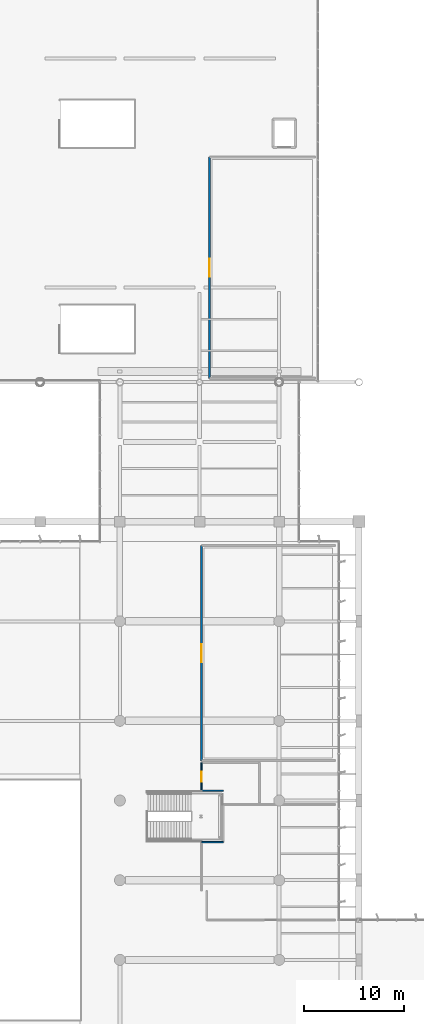
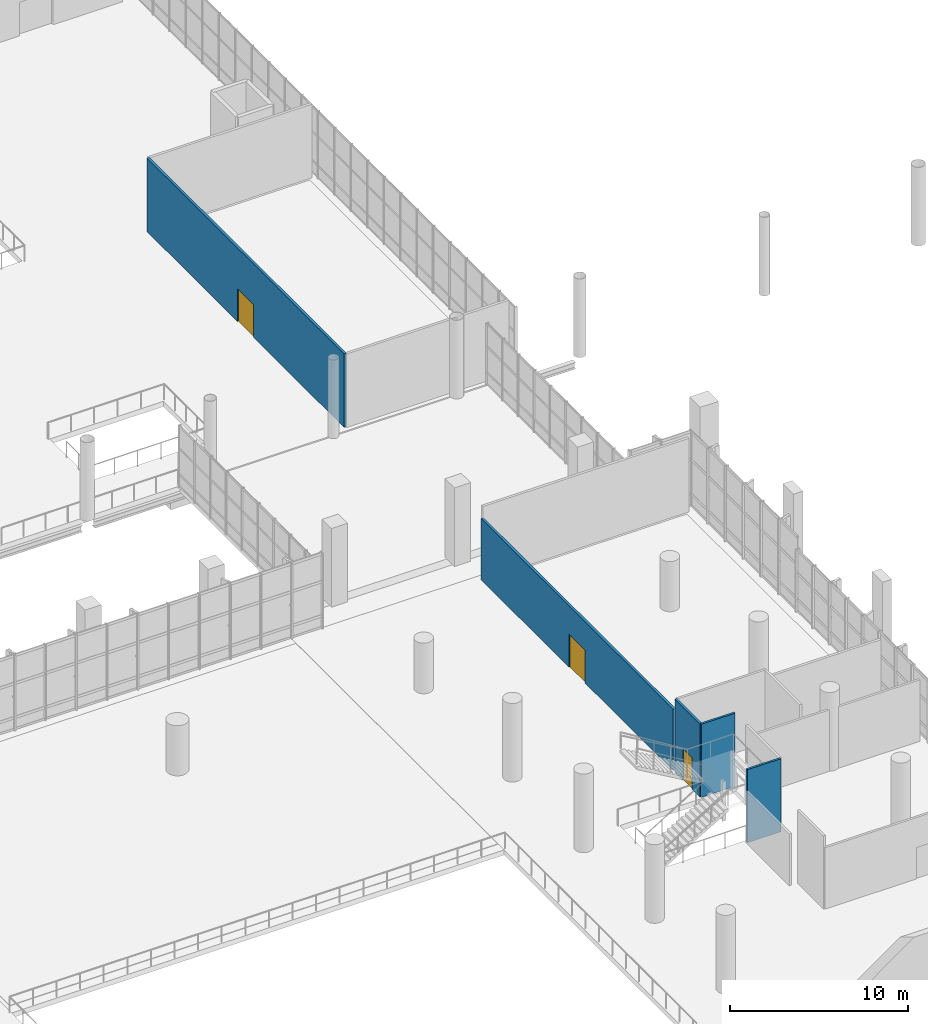
# One storey, part 141 of 176: 5 walls, 3 doors, 3 openings.
"""IFC4 building model written with IfcOpenShell, lengths in metres."""

import ifcopenshell
import ifcopenshell.guid

model = None  # the IFC model being written
_history = None  # IfcOwnerHistory: only IFC2X3 demands one
_inside = {}  # id of a spatial element -> (the spatial element, [elements in it])
_under = {}  # id of a project, library or spatial element -> (it, [spatial elements below it])
_declared = {}  # id of a project -> (the project, [libraries it declares])
_typed = {}  # id of a type object -> (the type object, [elements of that type])
_made_of = {}  # id of a material, layer set ... -> (it, [elements and type objects made of it])


def new_model(schema):
    """Start an empty IFC model of exactly this schema.

    Asked for "IFC4X3", IfcOpenShell would pick the latest addendum, in which some entities
    have other attributes; the version numbers below select the first issue.
    IFC2X3 requires an IfcOwnerHistory on every rooted entity: one is made here for all.
    """
    global model, _history
    if schema == "IFC4X3":
        model = ifcopenshell.file(schema_version=(4, 3, 0, 0))
    else:
        model = ifcopenshell.file(schema=schema)
    _inside.clear()
    _under.clear()
    _declared.clear()
    _typed.clear()
    _made_of.clear()
    _history = None
    if model.schema == "IFC2X3":
        org = make("IfcOrganization", Name="unknown")
        user = make(
            "IfcPersonAndOrganization",
            ThePerson=make("IfcPerson", FamilyName="unknown"),
            TheOrganization=org,
        )
        app = make(
            "IfcApplication",
            ApplicationDeveloper=org,
            Version="unknown",
            ApplicationFullName="unknown",
            ApplicationIdentifier="unknown",
        )
        _history = make(
            "IfcOwnerHistory",
            OwningUser=user,
            OwningApplication=app,
            ChangeAction="ADDED",
            CreationDate=0,
        )
    return model


def make(cls, **values):
    """One entity of the class cls with the attributes given. An attribute that is None is left unset."""
    return model.create_entity(
        cls, **{name: value for name, value in values.items() if value is not None}
    )


def rooted(cls, **values):
    """An entity with a GlobalId (a new one), such as an element, a storey or a relation."""
    return make(cls, GlobalId=ifcopenshell.guid.new(), OwnerHistory=_history, **values)


def si_unit(unit_type, name, prefix=None):
    """IfcSIUnit, for example si_unit("LENGTHUNIT", "METRE", prefix="MILLI")."""
    return make("IfcSIUnit", UnitType=unit_type, Prefix=prefix, Name=name)


def assignment(units):
    """IfcUnitAssignment: the units of a project."""
    return None if units is None else make("IfcUnitAssignment", Units=units)


def point(xyz):
    """IfcCartesianPoint."""
    return None if xyz is None else make("IfcCartesianPoint", Coordinates=xyz)


def direction(xyz):
    """IfcDirection."""
    return None if xyz is None else make("IfcDirection", DirectionRatios=xyz)


def frame(location, z_axis=None, x_axis=None):
    """IfcAxis2Placement3D, a coordinate frame: its origin and axes. An axis left out is left unset."""
    return make(
        "IfcAxis2Placement3D",
        Location=point(location),
        Axis=direction(z_axis),
        RefDirection=direction(x_axis),
    )


def frame_2d(location, x_axis=None):
    """IfcAxis2Placement2D, a coordinate frame in the plane: its origin and x axis."""
    return make(
        "IfcAxis2Placement2D", Location=point(location), RefDirection=direction(x_axis)
    )


def origin():
    """The frame at (0, 0, 0) with its axes left unset."""
    return frame((0.0, 0.0, 0.0))


def place(relative_to, where):
    """IfcLocalPlacement: puts the frame where relative to a parent placement (None: the world)."""
    return make(
        "IfcLocalPlacement", PlacementRelTo=relative_to, RelativePlacement=where
    )


def context(
    kind, dimensions, precision=None, world=None, true_north=None, identifier=None
):
    """IfcGeometricRepresentationContext, for example the 3D "Model" context."""
    return make(
        "IfcGeometricRepresentationContext",
        ContextIdentifier=identifier,
        ContextType=kind,
        CoordinateSpaceDimension=dimensions,
        Precision=precision,
        WorldCoordinateSystem=world,
        TrueNorth=true_north,
    )


def subcontext(parent, identifier, kind, view, scale=None):
    """IfcGeometricRepresentationSubContext, for example "Body" below "Model"."""
    return make(
        "IfcGeometricRepresentationSubContext",
        ContextIdentifier=identifier,
        ContextType=kind,
        ParentContext=parent,
        TargetScale=scale,
        TargetView=view,
    )


def project(units=None, contexts=None):
    """IfcProject with its units and contexts."""
    return rooted(
        "IfcProject",
        Name="project",
        RepresentationContexts=contexts,
        UnitsInContext=assignment(units),
    )


def spatial(cls, under=None, at=None, **own):
    """A site, building, storey or space (cls), placed at a placement, below another one or the project."""
    s = rooted(cls, ObjectPlacement=at, **own)
    if under is not None:
        _under.setdefault(under.id(), (under, []))[1].append(s)
    return s


def profile(cls, at=None, kind="AREA", **sizes):
    """A parametric profile (cls). Its sizes go by their IFC names, for example OverallWidth=200.0."""
    return make(cls, ProfileType=kind, Position=at, **sizes)


def rectangle(**sizes):
    """IfcRectangleProfileDef."""
    return profile("IfcRectangleProfileDef", **sizes)


def extrude(swept, where, along, depth):
    """IfcExtrudedAreaSolid: the profile swept, set in the frame where, extruded along a direction by depth."""
    return make(
        "IfcExtrudedAreaSolid",
        SweptArea=swept,
        Position=where,
        ExtrudedDirection=direction(along),
        Depth=depth,
    )


def shape(context_of_items, identifier, shape_type, items):
    """IfcShapeRepresentation: the items that make up one representation, for example the "Body"."""
    return make(
        "IfcShapeRepresentation",
        ContextOfItems=context_of_items,
        RepresentationIdentifier=identifier,
        RepresentationType=shape_type,
        Items=items,
    )


def material(Name=None, Category=None):
    """IfcMaterial."""
    return make("IfcMaterial", Name=Name, Category=Category)


def layer(
    of_material, thickness, ventilated=None, Name=None, Category=None, Priority=None
):
    """IfcMaterialLayer: one layer of a wall or slab, of a material (None: an air gap)."""
    return make(
        "IfcMaterialLayer",
        Material=of_material,
        LayerThickness=thickness,
        IsVentilated=ventilated,
        Name=Name,
        Category=Category,
        Priority=Priority,
    )


def layer_set(layers, Name=None):
    """IfcMaterialLayerSet."""
    return make("IfcMaterialLayerSet", MaterialLayers=layers, LayerSetName=Name)


def made_of(thing, what):
    """Note that an element or type object is made of a material, layer set ...; save() writes the relation."""
    if what is not None:
        _made_of.setdefault(what.id(), (what, []))[1].append(thing)
    return thing


def type_object(cls, material=None, **own):
    """A type object (cls), such as IfcWallType, which elements share."""
    return made_of(rooted(cls, **own), material)


def element(
    cls,
    number,
    at=None,
    inside=None,
    cuts=None,
    type_object=None,
    material=None,
    context=None,
    identifier="Body",
    shape_type=None,
    held_by="IfcProductDefinitionShape",
    body=None,
    shapes=None,
    **own,
):
    """One element of the class cls, such as IfcWall. Its Tag is "e" and its number.

    at: its placement. inside: the storey or other place that contains it. cuts: it is an
    opening in that element (IfcRelVoidsElement). A single representation is given by context,
    identifier, shape_type and body (its items); several are given by shapes. held_by: the class
    of the entity that holds the representations. save() writes the other relations.
    """
    e = rooted(cls, Tag="e%d" % number, ObjectPlacement=at, **own)
    if body is not None:
        shapes = [shape(context, identifier, shape_type, body)]
    if shapes is not None:
        e.Representation = make(held_by, Representations=shapes)
    if inside is not None:
        _inside.setdefault(inside.id(), (inside, []))[1].append(e)
    if cuts is not None:
        rooted(
            "IfcRelVoidsElement", RelatingBuildingElement=cuts, RelatedOpeningElement=e
        )
    if type_object is not None:
        _typed.setdefault(type_object.id(), (type_object, []))[1].append(e)
    return made_of(e, material)


def fill(opening, filler):
    """IfcRelFillsElement: the door or window that sits in an opening."""
    return rooted(
        "IfcRelFillsElement",
        RelatingOpeningElement=opening,
        RelatedBuildingElement=filler,
    )


def aggregate(whole, parts):
    """IfcRelAggregates: a whole, such as a stair, and the parts it consists of."""
    return rooted("IfcRelAggregates", RelatingObject=whole, RelatedObjects=parts)


def save(model, path):
    """Write the relations noted so far, then the file.

    IfcRelAggregates (storeys below a building ...), IfcRelContainedInSpatialStructure (elements
    in a storey), IfcRelDefinesByType, IfcRelAssociatesMaterial and IfcRelDeclares: one each for
    every whole, place, type object, material and project.
    """
    for whole, parts in _under.values():
        aggregate(whole, parts)
    for where, things in _inside.values():
        rooted(
            "IfcRelContainedInSpatialStructure",
            RelatedElements=things,
            RelatingStructure=where,
        )
    for kind, things in _typed.values():
        rooted("IfcRelDefinesByType", RelatedObjects=things, RelatingType=kind)
    for what, things in _made_of.values():
        rooted("IfcRelAssociatesMaterial", RelatedObjects=things, RelatingMaterial=what)
    for by, libraries in _declared.values():
        rooted("IfcRelDeclares", RelatingContext=by, RelatedDefinitions=libraries)
    model.write(path)


model = new_model("IFC4")

# Units and contexts
model_context = context("Model", 3, precision=1e-05, world=origin(), true_north=direction((0.0, 1.0)))
body_context = subcontext(model_context, "Body", "Model", "MODEL_VIEW")
ifc_project = project(units=[si_unit("LENGTHUNIT", "METRE"), si_unit("AREAUNIT", "SQUARE_METRE"), si_unit("VOLUMEUNIT", "CUBIC_METRE"), si_unit("PLANEANGLEUNIT", "RADIAN"), si_unit("MASSUNIT", "GRAM", prefix="KILO")], contexts=[model_context])

# Site, building, storey
site_placement = place(None, origin())
site = spatial("IfcSite", under=ifc_project, at=site_placement, CompositionType="ELEMENT")
building_placement = place(site_placement, origin())
building = spatial("IfcBuilding", under=site, at=building_placement, Name="Khorjan Park Terminus", CompositionType="ELEMENT")
storey_placement = place(building_placement, frame((0.0, 0.0, 6.0)))
storey = spatial("IfcBuildingStorey", under=building, at=storey_placement, Name="L01", CompositionType="ELEMENT", Elevation=6.0)

# Walls
ifc_material_1 = material(Name="Moisture-Resistant Sanitary Partition")
ifc_layer_1 = layer(ifc_material_1, 0.14)
ifc_layer_set_1 = layer_set([ifc_layer_1], Name="Moisture-Resistant Sanitary Partition")
wall_type_1 = type_object("IfcWallType", Name="PT-14", PredefinedType="PARTITIONING", material=ifc_layer_set_1)
for number, where, z_axis, x_axis, name in (
    (1, (120.2, 55.82, 0.0), (0.0, 0.0, 1.0), (1.0, 0.0, 0.0), "Interior acoustic partition PT-14 (L01-WC1)"),
    (2, (122.38, 60.98, 0.0), (0.0, 0.0, 1.0), (-1.0, 0.0, 0.0), "Interior acoustic partition PT-14 (L01-AWC1)"),
):
    element("IfcWall", number, at=place(storey_placement, frame(where, z_axis=z_axis, x_axis=x_axis)), inside=storey, type_object=wall_type_1, Name=name, PredefinedType="PARTITIONING", context=body_context, shape_type="SweptSolid", body=[
        extrude(rectangle(XDim=2.18, YDim=0.14, at=frame_2d((1.09, 0.0))), origin(), (0.0, 0.0, 1.0), 5.02),
    ])

# Wall, opening, door
wall_1_placement = place(storey_placement, frame((120.2, 60.98, 0.0), z_axis=(0.0, 0.0, 1.0), x_axis=(0.0, 1.0, 0.0)))
wall_1 = element("IfcWall", 3, at=wall_1_placement, inside=storey, type_object=wall_type_1, Name="Interior acoustic partition PT-14 (L01-AWC1)", PredefinedType="PARTITIONING", context=body_context, shape_type="SweptSolid", body=[
    extrude(rectangle(XDim=2.82, YDim=0.14, at=frame_2d((1.41, 0.0))), origin(), (0.0, 0.0, 1.0), 5.02),
])
opening_1_placement = place(wall_1_placement, frame((0.91, 0.0, 0.0)))
opening_1 = element("IfcOpeningElement", 4, at=opening_1_placement, cuts=wall_1, Name="Opening ID-10", PredefinedType="OPENING", context=body_context, shape_type="SweptSolid", body=[
    extrude(rectangle(XDim=1.0, YDim=2.15, at=frame_2d((0.5, 1.075))), frame((0.0, 0.08, 0.0), z_axis=(0.0, -1.0, 0.0), x_axis=(1.0, 0.0, 0.0)), (0.0, 0.0, 1.0), 0.16),
])
ifc_material_2 = material(Name="Acoustic Fire-Rated Single Door")
door_type_1 = type_object("IfcDoorType", Name="ID-10", OperationType="NOTDEFINED", PredefinedType="DOOR", material=ifc_material_2)
door_1_placement = place(opening_1_placement, origin())
door_1 = element("IfcDoor", 5, at=door_1_placement, inside=storey, type_object=door_type_1, Name="Interior door ID-10 (L01-AWC1)", OperationType="SINGLE_SWING_RIGHT", OverallHeight=2.15, OverallWidth=1.0, PredefinedType="DOOR", context=body_context, shape_type="SweptSolid", body=[
    extrude(rectangle(XDim=1.0, YDim=2.15, at=frame_2d((0.5, 1.075))), frame((0.0, 0.025, 0.0), z_axis=(0.0, -1.0, 0.0), x_axis=(1.0, 0.0, 0.0)), (0.0, 0.0, 1.0), 0.05),
])
fill(opening_1, door_1)

ifc_material_3 = material(Name="Insulated Metal-Stud Acoustic Partition")
ifc_layer_2 = layer(ifc_material_3, 0.16)
ifc_layer_set_2 = layer_set([ifc_layer_2], Name="Insulated Metal-Stud Acoustic Partition")
wall_type_2 = type_object("IfcWallType", Name="PT-16", PredefinedType="PARTITIONING", material=ifc_layer_set_2)
wall_2_placement = place(storey_placement, frame((121.0, 102.4, 0.0), z_axis=(0.0, 0.0, 1.0), x_axis=(0.0, 1.0, 0.0)))
wall_2 = element("IfcWall", 6, at=wall_2_placement, inside=storey, type_object=wall_type_2, Name="Interior acoustic partition PT-16 (L01-GTL)", PredefinedType="PARTITIONING", context=body_context, shape_type="SweptSolid", body=[
    extrude(rectangle(XDim=22.2, YDim=0.16, at=frame_2d((11.1, 0.0))), origin(), (0.0, 0.0, 1.0), 5.05),
])
opening_2_placement = place(wall_2_placement, frame((10.2, 0.0, 0.0)))
opening_2 = element("IfcOpeningElement", 7, at=opening_2_placement, cuts=wall_2, Name="Opening ID-18", PredefinedType="OPENING", context=body_context, shape_type="SweptSolid", body=[
    extrude(rectangle(XDim=1.8, YDim=2.25, at=frame_2d((0.9, 1.125))), frame((0.0, 0.09, 0.0), z_axis=(0.0, -1.0, 0.0), x_axis=(1.0, 0.0, 0.0)), (0.0, 0.0, 1.0), 0.18),
])
ifc_material_4 = material(Name="Acoustic Hardwood & Vision-Lite Double Door", Category="wood")
door_type_2 = type_object("IfcDoorType", Name="ID-18", OperationType="NOTDEFINED", PredefinedType="DOOR", material=ifc_material_4)
door_2_placement = place(opening_2_placement, origin())
door_2 = element("IfcDoor", 8, at=door_2_placement, inside=storey, type_object=door_type_2, Name="Interior door ID-18 (L01-GTL)", OperationType="DOUBLE_DOOR_SINGLE_SWING", OverallHeight=2.25, OverallWidth=1.8, PredefinedType="DOOR", context=body_context, shape_type="SweptSolid", body=[
    extrude(rectangle(XDim=1.8, YDim=2.25, at=frame_2d((0.9, 1.125))), frame((0.0, 0.025, 0.0), z_axis=(0.0, -1.0, 0.0), x_axis=(1.0, 0.0, 0.0)), (0.0, 0.0, 1.0), 0.05),
])
fill(opening_2, door_2)

wall_3_placement = place(storey_placement, frame((120.2, 64.0, 0.0), z_axis=(0.0, 0.0, 1.0), x_axis=(0.0, 1.0, 0.0)))
wall_3 = element("IfcWall", 9, at=wall_3_placement, inside=storey, type_object=wall_type_2, Name="Interior acoustic partition PT-16 (L01-BSL)", PredefinedType="PARTITIONING", context=body_context, shape_type="SweptSolid", body=[
    extrude(rectangle(XDim=21.6, YDim=0.16, at=frame_2d((10.8, 0.0))), origin(), (0.0, 0.0, 1.0), 4.215),
])
opening_3_placement = place(wall_3_placement, frame((9.9, 0.0, 0.0)))
opening_3 = element("IfcOpeningElement", 10, at=opening_3_placement, cuts=wall_3, Name="Opening ID-18", PredefinedType="OPENING", context=body_context, shape_type="SweptSolid", body=[
    extrude(rectangle(XDim=1.8, YDim=2.25, at=frame_2d((0.9, 1.125))), frame((0.0, 0.09, 0.0), z_axis=(0.0, -1.0, 0.0), x_axis=(1.0, 0.0, 0.0)), (0.0, 0.0, 1.0), 0.18),
])
door_3_placement = place(opening_3_placement, origin())
door_3 = element("IfcDoor", 11, at=door_3_placement, inside=storey, type_object=door_type_2, Name="Interior door ID-18 (L01-BSL)", OperationType="DOUBLE_DOOR_SINGLE_SWING", OverallHeight=2.25, OverallWidth=1.8, PredefinedType="DOOR", context=body_context, shape_type="SweptSolid", body=[
    extrude(rectangle(XDim=1.8, YDim=2.25, at=frame_2d((0.9, 1.125))), frame((0.0, 0.025, 0.0), z_axis=(0.0, -1.0, 0.0), x_axis=(1.0, 0.0, 0.0)), (0.0, 0.0, 1.0), 0.05),
])
fill(opening_3, door_3)

save(model, "model.ifc")
